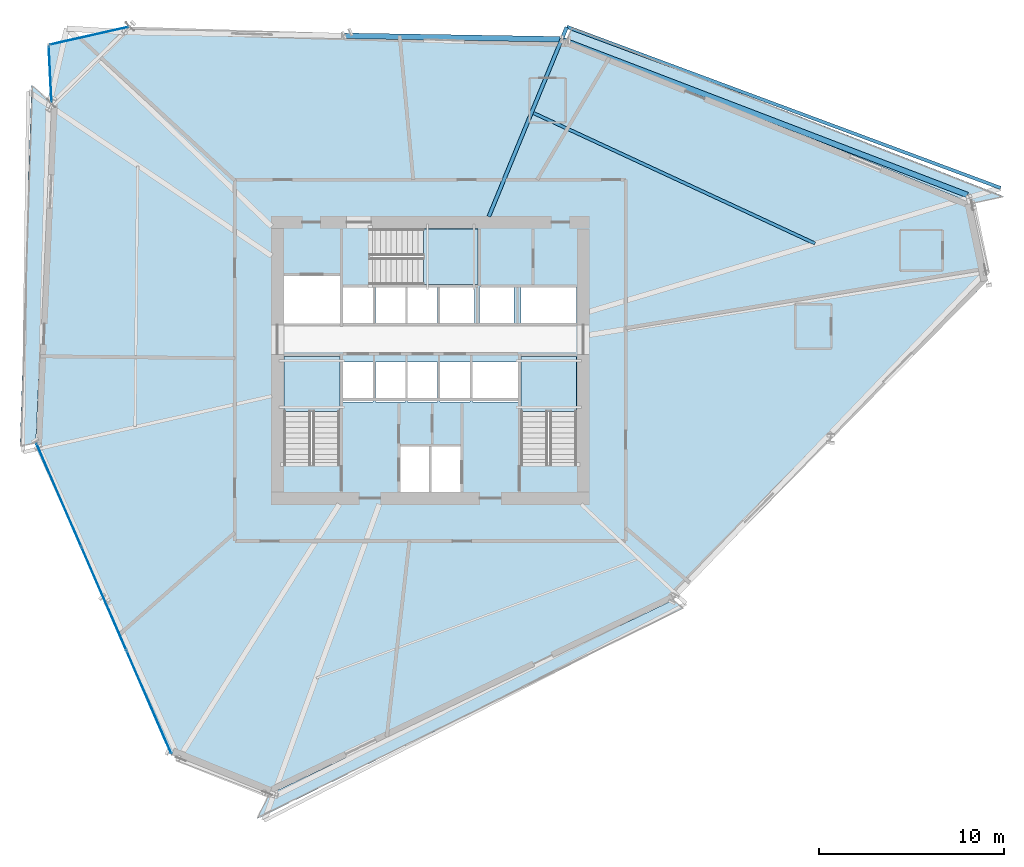
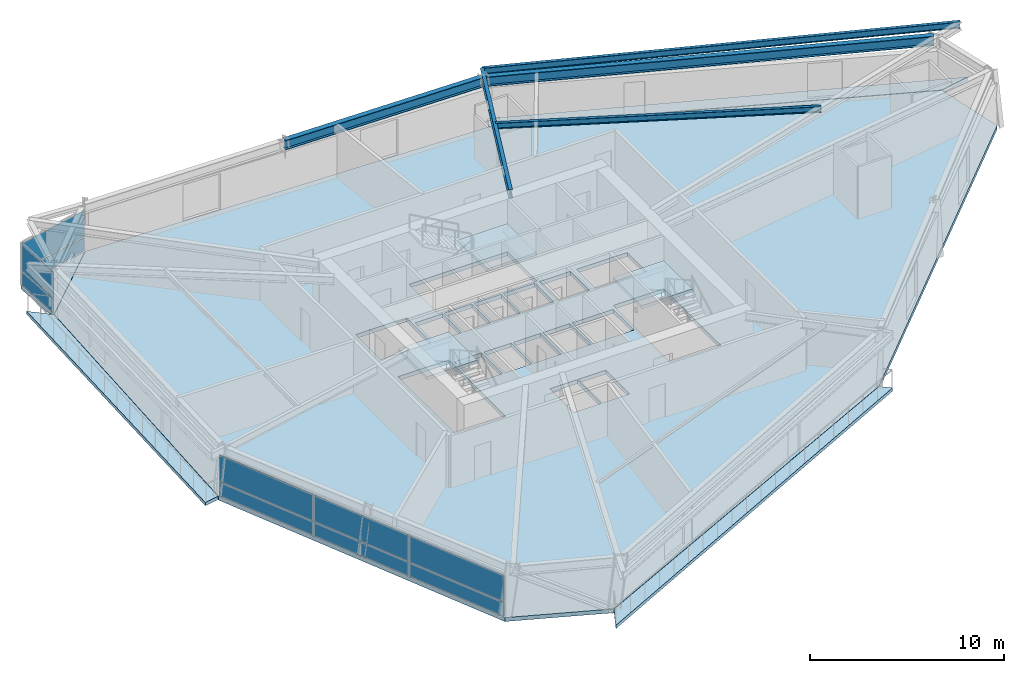
# One storey, part 9 of 19: 10 plates, 8 slabs, 5 beams, 6 elements without a shape of their own.
"""IFC4 building model written with IfcOpenShell, lengths in metres."""

import ifcopenshell
import ifcopenshell.guid

model = None  # the IFC model being written
_history = None  # IfcOwnerHistory: only IFC2X3 demands one
_inside = {}  # id of a spatial element -> (the spatial element, [elements in it])
_under = {}  # id of a project, library or spatial element -> (it, [spatial elements below it])
_declared = {}  # id of a project -> (the project, [libraries it declares])
_typed = {}  # id of a type object -> (the type object, [elements of that type])
_made_of = {}  # id of a material, layer set ... -> (it, [elements and type objects made of it])


def new_model(schema):
    """Start an empty IFC model of exactly this schema.

    Asked for "IFC4X3", IfcOpenShell would pick the latest addendum, in which some entities
    have other attributes; the version numbers below select the first issue.
    IFC2X3 requires an IfcOwnerHistory on every rooted entity: one is made here for all.
    """
    global model, _history
    if schema == "IFC4X3":
        model = ifcopenshell.file(schema_version=(4, 3, 0, 0))
    else:
        model = ifcopenshell.file(schema=schema)
    _inside.clear()
    _under.clear()
    _declared.clear()
    _typed.clear()
    _made_of.clear()
    _history = None
    if model.schema == "IFC2X3":
        org = make("IfcOrganization", Name="unknown")
        user = make(
            "IfcPersonAndOrganization",
            ThePerson=make("IfcPerson", FamilyName="unknown"),
            TheOrganization=org,
        )
        app = make(
            "IfcApplication",
            ApplicationDeveloper=org,
            Version="unknown",
            ApplicationFullName="unknown",
            ApplicationIdentifier="unknown",
        )
        _history = make(
            "IfcOwnerHistory",
            OwningUser=user,
            OwningApplication=app,
            ChangeAction="ADDED",
            CreationDate=0,
        )
    return model


def make(cls, **values):
    """One entity of the class cls with the attributes given. An attribute that is None is left unset."""
    return model.create_entity(
        cls, **{name: value for name, value in values.items() if value is not None}
    )


def rooted(cls, **values):
    """An entity with a GlobalId (a new one), such as an element, a storey or a relation."""
    return make(cls, GlobalId=ifcopenshell.guid.new(), OwnerHistory=_history, **values)


def si_unit(unit_type, name, prefix=None):
    """IfcSIUnit, for example si_unit("LENGTHUNIT", "METRE", prefix="MILLI")."""
    return make("IfcSIUnit", UnitType=unit_type, Prefix=prefix, Name=name)


def assignment(units):
    """IfcUnitAssignment: the units of a project."""
    return None if units is None else make("IfcUnitAssignment", Units=units)


def point(xyz):
    """IfcCartesianPoint."""
    return None if xyz is None else make("IfcCartesianPoint", Coordinates=xyz)


def direction(xyz):
    """IfcDirection."""
    return None if xyz is None else make("IfcDirection", DirectionRatios=xyz)


def frame(location, z_axis=None, x_axis=None):
    """IfcAxis2Placement3D, a coordinate frame: its origin and axes. An axis left out is left unset."""
    return make(
        "IfcAxis2Placement3D",
        Location=point(location),
        Axis=direction(z_axis),
        RefDirection=direction(x_axis),
    )


def frame_2d(location, x_axis=None):
    """IfcAxis2Placement2D, a coordinate frame in the plane: its origin and x axis."""
    return make(
        "IfcAxis2Placement2D", Location=point(location), RefDirection=direction(x_axis)
    )


def origin():
    """The frame at (0, 0, 0) with its axes left unset."""
    return frame((0.0, 0.0, 0.0))


def origin_2d():
    """The frame at (0, 0) in the plane with its x axis left unset."""
    return frame_2d((0.0, 0.0))


def place(relative_to, where):
    """IfcLocalPlacement: puts the frame where relative to a parent placement (None: the world)."""
    return make(
        "IfcLocalPlacement", PlacementRelTo=relative_to, RelativePlacement=where
    )


def context(
    kind, dimensions, precision=None, world=None, true_north=None, identifier=None
):
    """IfcGeometricRepresentationContext, for example the 3D "Model" context."""
    return make(
        "IfcGeometricRepresentationContext",
        ContextIdentifier=identifier,
        ContextType=kind,
        CoordinateSpaceDimension=dimensions,
        Precision=precision,
        WorldCoordinateSystem=world,
        TrueNorth=true_north,
    )


def subcontext(parent, identifier, kind, view, scale=None):
    """IfcGeometricRepresentationSubContext, for example "Body" below "Model"."""
    return make(
        "IfcGeometricRepresentationSubContext",
        ContextIdentifier=identifier,
        ContextType=kind,
        ParentContext=parent,
        TargetScale=scale,
        TargetView=view,
    )


def project(units=None, contexts=None):
    """IfcProject with its units and contexts."""
    return rooted(
        "IfcProject",
        Name="project",
        RepresentationContexts=contexts,
        UnitsInContext=assignment(units),
    )


def spatial(cls, under=None, at=None, **own):
    """A site, building, storey or space (cls), placed at a placement, below another one or the project."""
    s = rooted(cls, ObjectPlacement=at, **own)
    if under is not None:
        _under.setdefault(under.id(), (under, []))[1].append(s)
    return s


def polyline(points):
    """IfcPolyline through the points."""
    return make("IfcPolyline", Points=[point(p) for p in points])


def profile(cls, at=None, kind="AREA", **sizes):
    """A parametric profile (cls). Its sizes go by their IFC names, for example OverallWidth=200.0."""
    return make(cls, ProfileType=kind, Position=at, **sizes)


def rectangle(**sizes):
    """IfcRectangleProfileDef."""
    return profile("IfcRectangleProfileDef", **sizes)


def i_section(**sizes):
    """IfcIShapeProfileDef."""
    return profile("IfcIShapeProfileDef", **sizes)


def outline(outer, holes=None, kind="AREA"):
    """IfcArbitraryClosedProfileDef: a profile drawn as a closed curve; with holes, ...WithVoids."""
    if holes is None:
        return make("IfcArbitraryClosedProfileDef", ProfileType=kind, OuterCurve=outer)
    return make(
        "IfcArbitraryProfileDefWithVoids",
        ProfileType=kind,
        OuterCurve=outer,
        InnerCurves=holes,
    )


def extrude(swept, where, along, depth):
    """IfcExtrudedAreaSolid: the profile swept, set in the frame where, extruded along a direction by depth."""
    return make(
        "IfcExtrudedAreaSolid",
        SweptArea=swept,
        Position=where,
        ExtrudedDirection=direction(along),
        Depth=depth,
    )


def shape(context_of_items, identifier, shape_type, items):
    """IfcShapeRepresentation: the items that make up one representation, for example the "Body"."""
    return make(
        "IfcShapeRepresentation",
        ContextOfItems=context_of_items,
        RepresentationIdentifier=identifier,
        RepresentationType=shape_type,
        Items=items,
    )


def source(mapping_origin, context_of_items, identifier, shape_type, items):
    """IfcRepresentationMap: a shape defined once, which mapped items show again and again."""
    return make(
        "IfcRepresentationMap",
        MappingOrigin=mapping_origin,
        MappedRepresentation=shape(context_of_items, identifier, shape_type, items),
    )


def transform(
    local_origin,
    x_axis=None,
    y_axis=None,
    z_axis=None,
    scale=None,
    scale2=None,
    scale3=None,
    uniform=True,
):
    """IfcCartesianTransformationOperator3D, or its non-uniform kind. x_axis, y_axis, z_axis: its Axis1, 2, 3."""
    if uniform:
        return make(
            "IfcCartesianTransformationOperator3D",
            Axis1=direction(x_axis),
            Axis2=direction(y_axis),
            LocalOrigin=point(local_origin),
            Scale=scale,
            Axis3=direction(z_axis),
        )
    return make(
        "IfcCartesianTransformationOperator3DnonUniform",
        Axis1=direction(x_axis),
        Axis2=direction(y_axis),
        LocalOrigin=point(local_origin),
        Scale=scale,
        Axis3=direction(z_axis),
        Scale2=scale2,
        Scale3=scale3,
    )


def mapped(mapping_source, mapping_target):
    """IfcMappedItem: shows the shape of a source again, moved by a transform."""
    return make(
        "IfcMappedItem", MappingSource=mapping_source, MappingTarget=mapping_target
    )


def material(Name=None, Category=None):
    """IfcMaterial."""
    return make("IfcMaterial", Name=Name, Category=Category)


def layer(
    of_material, thickness, ventilated=None, Name=None, Category=None, Priority=None
):
    """IfcMaterialLayer: one layer of a wall or slab, of a material (None: an air gap)."""
    return make(
        "IfcMaterialLayer",
        Material=of_material,
        LayerThickness=thickness,
        IsVentilated=ventilated,
        Name=Name,
        Category=Category,
        Priority=Priority,
    )


def layer_set(layers, Name=None):
    """IfcMaterialLayerSet."""
    return make("IfcMaterialLayerSet", MaterialLayers=layers, LayerSetName=Name)


def material_profile(
    of_material, cross_section, Name=None, Category=None, Priority=None
):
    """IfcMaterialProfile: a cross section and its material."""
    return make(
        "IfcMaterialProfile",
        Name=Name,
        Material=of_material,
        Profile=cross_section,
        Priority=Priority,
        Category=Category,
    )


def profile_set(profiles, Name=None, composite=None):
    """IfcMaterialProfileSet."""
    return make(
        "IfcMaterialProfileSet",
        Name=Name,
        MaterialProfiles=profiles,
        CompositeProfile=composite,
    )


def made_of(thing, what):
    """Note that an element or type object is made of a material, layer set ...; save() writes the relation."""
    if what is not None:
        _made_of.setdefault(what.id(), (what, []))[1].append(thing)
    return thing


def type_object(cls, material=None, **own):
    """A type object (cls), such as IfcWallType, which elements share."""
    return made_of(rooted(cls, **own), material)


def element(
    cls,
    number,
    at=None,
    inside=None,
    cuts=None,
    type_object=None,
    material=None,
    context=None,
    identifier="Body",
    shape_type=None,
    held_by="IfcProductDefinitionShape",
    body=None,
    shapes=None,
    **own,
):
    """One element of the class cls, such as IfcWall. Its Tag is "e" and its number.

    at: its placement. inside: the storey or other place that contains it. cuts: it is an
    opening in that element (IfcRelVoidsElement). A single representation is given by context,
    identifier, shape_type and body (its items); several are given by shapes. held_by: the class
    of the entity that holds the representations. save() writes the other relations.
    """
    e = rooted(cls, Tag="e%d" % number, ObjectPlacement=at, **own)
    if body is not None:
        shapes = [shape(context, identifier, shape_type, body)]
    if shapes is not None:
        e.Representation = make(held_by, Representations=shapes)
    if inside is not None:
        _inside.setdefault(inside.id(), (inside, []))[1].append(e)
    if cuts is not None:
        rooted(
            "IfcRelVoidsElement", RelatingBuildingElement=cuts, RelatedOpeningElement=e
        )
    if type_object is not None:
        _typed.setdefault(type_object.id(), (type_object, []))[1].append(e)
    return made_of(e, material)


def aggregate(whole, parts):
    """IfcRelAggregates: a whole, such as a stair, and the parts it consists of."""
    return rooted("IfcRelAggregates", RelatingObject=whole, RelatedObjects=parts)


def save(model, path):
    """Write the relations noted so far, then the file.

    IfcRelAggregates (storeys below a building ...), IfcRelContainedInSpatialStructure (elements
    in a storey), IfcRelDefinesByType, IfcRelAssociatesMaterial and IfcRelDeclares: one each for
    every whole, place, type object, material and project.
    """
    for whole, parts in _under.values():
        aggregate(whole, parts)
    for where, things in _inside.values():
        rooted(
            "IfcRelContainedInSpatialStructure",
            RelatedElements=things,
            RelatingStructure=where,
        )
    for kind, things in _typed.values():
        rooted("IfcRelDefinesByType", RelatedObjects=things, RelatingType=kind)
    for what, things in _made_of.values():
        rooted("IfcRelAssociatesMaterial", RelatedObjects=things, RelatingMaterial=what)
    for by, libraries in _declared.values():
        rooted("IfcRelDeclares", RelatingContext=by, RelatedDefinitions=libraries)
    model.write(path)


model = new_model("IFC4")

# Units and contexts
model_context = context("Model", 3, precision=1e-05, world=origin(), true_north=direction((0.0, 1.0)))
body_context = subcontext(model_context, "Body", "Model", "MODEL_VIEW")
ifc_project = project(units=[si_unit("LENGTHUNIT", "METRE"), si_unit("AREAUNIT", "SQUARE_METRE"), si_unit("VOLUMEUNIT", "CUBIC_METRE"), si_unit("PLANEANGLEUNIT", "RADIAN"), si_unit("MASSUNIT", "GRAM", prefix="KILO")], contexts=[model_context])

# Site, building, storey
site_placement = place(None, origin())
site = spatial("IfcSite", under=ifc_project, at=site_placement, CompositionType="ELEMENT")
building_placement = place(site_placement, origin())
building = spatial("IfcBuilding", under=site, at=building_placement, Name="Olszyna Solenne Hotel", CompositionType="ELEMENT")
storey_placement = place(building_placement, frame((0.0, 0.0, 84.39990234375)))
storey = spatial("IfcBuildingStorey", under=building, at=storey_placement, Name="L21", CompositionType="ELEMENT", Elevation=84.39990234375)

# Beams
ifc_material_1 = material(Name="Steel S355J2", Category="steel")
ifc_material_profile_1 = material_profile(ifc_material_1, i_section(OverallWidth=0.300048828125, OverallDepth=0.60009765625, WebThickness=0.015380859375, FlangeThickness=0.030029296875, at=origin_2d()), Name="HEB 600", Category="load-bearing")
ifc_profile_set_1 = profile_set([ifc_material_profile_1], Name="Steel S355J2")
beam_type_1 = type_object("IfcBeamType", Name="BM-S2", PredefinedType="BEAM", material=ifc_profile_set_1)
shared_shape_1 = source(origin(), body_context, "Body", "SweptSolid", [
    extrude(i_section(OverallWidth=0.300048828125, OverallDepth=0.60009765625, WebThickness=0.015380859375, FlangeThickness=0.030029296875, at=origin_2d()), origin(), (0.0, 0.0, 1.0), 23.42333984375),
])
beam_1_placement = place(storey_placement, frame((66.977294921875, 35.51953125, 3.0), z_axis=(-0.933834455534, 0.357705478932, 0.0), x_axis=(-0.357705478932, -0.933834455534, 0.0)))
element("IfcBeam", 1, at=beam_1_placement, inside=storey, type_object=beam_type_1, Name="Perimeter spandrel beam BM-S2 B-L21-0634", PredefinedType="BEAM", context=body_context, shape_type="MappedRepresentation", body=[
    mapped(shared_shape_1, transform((0.0, 0.0, 0.0), x_axis=(1.0, 0.0, 0.0), y_axis=(0.0, 1.0, 0.0), z_axis=(0.0, 0.0, 1.0), scale=1.0)),
])
shared_shape_2 = source(origin(), body_context, "Body", "SweptSolid", [
    extrude(i_section(OverallWidth=0.300048828125, OverallDepth=0.60009765625, WebThickness=0.015380859375, FlangeThickness=0.030029296875, at=origin_2d()), origin(), (0.0, 0.0, 1.0), 11.651611328125),
])
beam_2_placement = place(storey_placement, frame((44.98779296875, 43.920654296875, 3.0), z_axis=(-0.999867461203, 0.01628066425, 0.0), x_axis=(-0.01628066425, -0.999867461203, 0.0)))
element("IfcBeam", 2, at=beam_2_placement, inside=storey, type_object=beam_type_1, Name="Perimeter spandrel beam BM-S2 B-L21-0635", PredefinedType="BEAM", context=body_context, shape_type="MappedRepresentation", body=[
    mapped(shared_shape_2, transform((0.0, 0.0, 0.0), x_axis=(1.0, 0.0, 0.0), y_axis=(0.0, 1.0, 0.0), z_axis=(0.0, 0.0, 1.0), scale=1.0)),
])
ifc_material_profile_2 = material_profile(ifc_material_1, i_section(OverallWidth=0.199951171875, OverallDepth=0.5, WebThickness=0.01025390625, FlangeThickness=0.01611328125, at=origin_2d()), Name="IPE 500", Category="load-bearing")
ifc_profile_set_2 = profile_set([ifc_material_profile_2], Name="Steel S355J2")
beam_type_2 = type_object("IfcBeamType", Name="BM-F3", PredefinedType="BEAM", material=ifc_profile_set_2)
shared_shape_3 = source(origin(), body_context, "Body", "SweptSolid", [
    extrude(i_section(OverallWidth=0.199951171875, OverallDepth=0.5, WebThickness=0.01025390625, FlangeThickness=0.01611328125, at=origin_2d()), origin(), (0.0, 0.0, 1.0), 11.052978515625),
])
beam_3_placement = place(storey_placement, frame((45.3583984375, 44.576416015625, 3.050048828125), z_axis=(-0.380288720395, -0.924867822524, 0.0), x_axis=(0.924867822524, -0.380288720395, 0.0)))
element("IfcBeam", 3, at=beam_3_placement, inside=storey, type_object=beam_type_2, Name="Radial floor girder BM-F3 B-L21-0647", PredefinedType="BEAM", context=body_context, shape_type="MappedRepresentation", body=[
    mapped(shared_shape_3, transform((0.0, 0.0, 0.0), x_axis=(1.0, 0.0, 0.0), y_axis=(0.0, 1.0, 0.0), z_axis=(0.0, 0.0, 1.0), scale=1.0)),
])
ifc_material_profile_3 = material_profile(ifc_material_1, i_section(OverallWidth=0.169921875, OverallDepth=0.360107421875, WebThickness=0.008056640625, FlangeThickness=0.0126953125, at=origin_2d()), Name="IPE 360", Category="load-bearing")
ifc_profile_set_3 = profile_set([ifc_material_profile_3], Name="Steel S355J2")
beam_type_3 = type_object("IfcBeamType", Name="JS-01", PredefinedType="JOIST", material=ifc_profile_set_3)
shared_shape_4 = source(origin(), body_context, "Body", "SweptSolid", [
    extrude(i_section(OverallWidth=0.169921875, OverallDepth=0.360107421875, WebThickness=0.008056640625, FlangeThickness=0.0126953125, at=origin_2d()), origin(), (0.0, 0.0, 1.0), 16.82373046875),
])
beam_4_placement = place(storey_placement, frame((58.7529296875, 32.902587890625, 3.1201171875), z_axis=(-0.907264557711, 0.420560367035, 0.0), x_axis=(-0.420560367035, -0.907264557711, 0.0)))
element("IfcBeam", 4, at=beam_4_placement, inside=storey, type_object=beam_type_3, Name="Secondary composite floor joist JS-01 B-L21-0656", PredefinedType="JOIST", context=body_context, shape_type="MappedRepresentation", body=[
    mapped(shared_shape_4, transform((0.0, 0.0, 0.0), x_axis=(1.0, 0.0, 0.0), y_axis=(0.0, 1.0, 0.0), z_axis=(0.0, 0.0, 1.0), scale=1.0)),
])
ifc_material_profile_4 = material_profile(ifc_material_1, i_section(OverallWidth=0.179931640625, OverallDepth=0.39990234375, WebThickness=0.008544921875, FlangeThickness=0.013427734375, at=origin_2d()), Name="IPE 400", Category="load-bearing")
ifc_profile_set_4 = profile_set([ifc_material_profile_4], Name="Steel S355J2")
beam_type_4 = type_object("IfcBeamType", Name="BM-F5", PredefinedType="BEAM", material=ifc_profile_set_4)
shared_shape_5 = source(origin(), body_context, "Body", "SweptSolid", [
    extrude(i_section(OverallWidth=0.179931640625, OverallDepth=0.39990234375, WebThickness=0.008544921875, FlangeThickness=0.013427734375, at=origin_2d()), origin(), (0.0, 0.0, 1.0), 24.96533203125),
])
beam_5_placement = place(storey_placement, frame((68.768310546875, 35.8994140625, 3.10009765625), z_axis=(-0.937381489877, 0.348304381878, 0.0), x_axis=(-0.348304381878, -0.937381489877, 0.0)))
element("IfcBeam", 5, at=beam_5_placement, inside=storey, type_object=beam_type_4, Name="Loggia outer edge beam BM-F5 B-L21-0659", PredefinedType="BEAM", context=body_context, shape_type="MappedRepresentation", body=[
    mapped(shared_shape_5, transform((0.0, 0.0, 0.0), x_axis=(1.0, 0.0, 0.0), y_axis=(0.0, 1.0, 0.0), z_axis=(0.0, 0.0, 1.0), scale=1.0)),
])

# Stair, slab
ifc_material_2 = material(Name="Concrete C40/50", Category="concrete")
stair_type = type_object("IfcStairType", Name="STR-C1", PredefinedType="TWO_QUARTER_WINDING_STAIR", material=ifc_material_2)
stair_1_placement = place(storey_placement, origin())
stair_1 = element("IfcStair", 6, at=stair_1_placement, inside=storey, type_object=stair_type, Name="L21 ST1", PredefinedType="TWO_QUARTER_WINDING_STAIR")
ifc_layer_1 = layer(ifc_material_2, 0.18994140625, Name="Concrete C40/50")
ifc_layer_set_1 = layer_set([ifc_layer_1], Name="Concrete C40/50")
slab_type_1 = type_object("IfcSlabType", Name="SL-LN190", PredefinedType="LANDING", material=ifc_layer_set_1)
slab_1_placement = place(storey_placement, frame((0.0, 0.0, 1.5751953125)))
slab_1 = element("IfcSlab", 7, at=slab_1_placement, type_object=slab_type_1, Name="ST1 landing 1", PredefinedType="LANDING", context=body_context, shape_type="SweptSolid", body=[
    extrude(outline(polyline([(33.1201171875, 23.85009765625), (33.1201171875, 26.800048828125), (30.10009765625, 26.800048828125), (30.10009765625, 23.85009765625), (33.1201171875, 23.85009765625)])), origin(), (0.0, 0.0, 1.0), 0.199951171875),
])
aggregate(stair_1, [slab_1])

stair_2_placement = place(storey_placement, origin())
stair_2 = element("IfcStair", 8, at=stair_2_placement, inside=storey, type_object=stair_type, Name="L21 ST2", PredefinedType="TWO_QUARTER_WINDING_STAIR")
slab_2_placement = place(storey_placement, frame((0.0, 0.0, 1.5751953125)))
slab_2 = element("IfcSlab", 9, at=slab_2_placement, type_object=slab_type_1, Name="ST2 landing 1", PredefinedType="LANDING", context=body_context, shape_type="SweptSolid", body=[
    extrude(outline(polyline([(45.89990234375, 23.85009765625), (45.89990234375, 26.800048828125), (42.8798828125, 26.800048828125), (42.8798828125, 23.85009765625), (45.89990234375, 23.85009765625)])), origin(), (0.0, 0.0, 1.0), 0.199951171875),
])
aggregate(stair_2, [slab_2])

stair_3_placement = place(storey_placement, origin())
stair_3 = element("IfcStair", 10, at=stair_3_placement, inside=storey, type_object=stair_type, Name="L21 ST3", PredefinedType="TWO_QUARTER_WINDING_STAIR")
slab_3_placement = place(storey_placement, frame((0.0, 0.0, 1.5751953125)))
slab_3 = element("IfcSlab", 11, at=slab_3_placement, type_object=slab_type_1, Name="ST3 landing 1", PredefinedType="LANDING", context=body_context, shape_type="SweptSolid", body=[
    extrude(outline(polyline([(37.6298828125, 30.679931640625), (40.580078125, 30.679931640625), (40.580078125, 33.699951171875), (37.6298828125, 33.699951171875), (37.6298828125, 30.679931640625)])), origin(), (0.0, 0.0, 1.0), 0.199951171875),
])
aggregate(stair_3, [slab_3])

# Slabs
ifc_material_3 = material(Name="Precast concrete C45/55", Category="concrete")
ifc_layer_2 = layer(ifc_material_3, 0.199951171875, Name="Precast concrete C45/55")
ifc_layer_set_2 = layer_set([ifc_layer_2], Name="Precast concrete C45/55")
slab_type_2 = type_object("IfcSlabType", Name="SL-LOG200", PredefinedType="FLOOR", material=ifc_layer_set_2)
slab_4_placement = place(storey_placement, frame((0.0, 0.0, -0.199951171875)))
element("IfcSlab", 12, at=slab_4_placement, inside=storey, type_object=slab_type_2, Name="Exterior loggia balcony slab SL-L21-LG1", PredefinedType="FLOOR", context=body_context, shape_type="SweptSolid", body=[
    extrude(outline(polyline([(45.35205078125, 43.902587890625), (67.21435546875, 35.0830078125), (67.215576171875, 35.08251953125), (67.216796875, 35.081787109375), (67.218017578125, 35.080810546875), (67.21923828125, 35.079833984375), (67.22021484375, 35.07861328125), (67.22119140625, 35.07763671875), (67.221923828125, 35.076416015625), (67.222412109375, 35.074951171875), (67.222900390625, 35.073486328125), (67.223388671875, 35.072265625), (68.949951171875, 35.443115234375), (45.67431640625, 44.559326171875), (45.35205078125, 43.902587890625)])), origin(), (0.0, 0.0, 1.0), 0.199951171875),
])
slab_5_placement = place(storey_placement, frame((0.0, 0.0, -0.199951171875)))
element("IfcSlab", 13, at=slab_5_placement, inside=storey, type_object=slab_type_2, Name="Exterior loggia balcony slab SL-L21-LG2", PredefinedType="FLOOR", context=body_context, shape_type="SweptSolid", body=[
    extrude(outline(polyline([(16.719482421875, 22.153076171875), (16.71923828125, 22.154296875), (16.71923828125, 22.155517578125), (16.71923828125, 22.156982421875), (17.552001953125, 40.4853515625), (17.55126953125, 40.49951171875), (16.483642578125, 41.451904296875), (15.863525390625, 21.96923828125), (16.719482421875, 22.153076171875)])), origin(), (0.0, 0.0, 1.0), 0.199951171875),
])
slab_6_placement = place(storey_placement, frame((0.0, 0.0, -0.199951171875)))
element("IfcSlab", 14, at=slab_6_placement, inside=storey, type_object=slab_type_2, Name="Exterior loggia balcony slab SL-L21-LG3", PredefinedType="FLOOR", context=body_context, shape_type="SweptSolid", body=[
    extrude(outline(polyline([(51.116455078125, 13.677001953125), (51.115966796875, 13.676513671875), (51.114990234375, 13.675537109375), (51.114013671875, 13.6748046875), (51.11279296875, 13.674072265625), (51.11181640625, 13.673583984375), (29.317138671875, 3.1923828125), (29.315673828125, 3.191650390625), (29.314208984375, 3.191162109375), (29.3125, 3.19091796875), (29.31103515625, 3.19091796875), (29.3095703125, 3.19091796875), (29.30810546875, 3.19091796875), (29.306396484375, 3.19140625), (29.304931640625, 3.19189453125), (29.303955078125, 3.1923828125), (28.652587890625, 1.865478515625), (51.64697265625, 13.203857421875), (51.116455078125, 13.677001953125)])), origin(), (0.0, 0.0, 1.0), 0.199951171875),
])
ifc_material_4 = material(Name="Concrete C50/60", Category="concrete")
ifc_layer_3 = layer(ifc_material_4, 0.25, Name="Concrete C50/60")
ifc_layer_set_3 = layer_set([ifc_layer_3], Name="Concrete C50/60")
slab_type_3 = type_object("IfcSlabType", Name="SL-TW250", PredefinedType="FLOOR", material=ifc_layer_set_3)
slab_7_placement = place(storey_placement, frame((0.0, 0.0, -0.25)))
element("IfcSlab", 15, at=slab_7_placement, inside=storey, type_object=slab_type_3, Name="Floor slab SL-TW250 SL-L21-01", PredefinedType="FLOOR", context=body_context, shape_type="SweptSolid", body=[
    extrude(outline(polyline([(68.081298828125, 30.911376953125), (67.208740234375, 35.069091796875), (45.345458984375, 43.88916015625), (21.78076171875, 44.597900390625), (17.56689453125, 40.4853515625), (16.734130859375, 22.15625), (24.0517578125, 5.33056640625), (29.310546875, 3.205810546875), (51.105224609375, 13.68701171875), (68.081298828125, 30.911376953125)]), holes=[polyline([(30.10009765625, 20.949951171875), (33.1201171875, 20.949951171875), (33.1201171875, 26.800048828125), (30.10009765625, 26.800048828125), (30.10009765625, 20.949951171875)]), polyline([(42.8798828125, 20.949951171875), (45.89990234375, 20.949951171875), (45.89990234375, 26.800048828125), (42.8798828125, 26.800048828125), (42.8798828125, 20.949951171875)]), polyline([(34.72998046875, 30.679931640625), (40.580078125, 30.679931640625), (40.580078125, 33.699951171875), (34.72998046875, 33.699951171875), (34.72998046875, 30.679931640625)]), polyline([(36.340087890625, 19.5), (37.9599609375, 19.5), (37.9599609375, 21.9599609375), (36.340087890625, 21.9599609375), (36.340087890625, 19.5)]), polyline([(38.0400390625, 19.5), (39.659912109375, 19.5), (39.659912109375, 21.9599609375), (38.0400390625, 21.9599609375), (38.0400390625, 19.5)]), polyline([(30.10009765625, 28.60009765625), (33.1201171875, 28.60009765625), (33.1201171875, 31.159912109375), (30.10009765625, 31.159912109375), (30.10009765625, 28.60009765625)]), polyline([(33.280029296875, 24.360107421875), (34.89990234375, 24.360107421875), (34.89990234375, 26.5), (33.280029296875, 26.5), (33.280029296875, 24.360107421875)]), polyline([(35.030029296875, 24.360107421875), (36.64990234375, 24.360107421875), (36.64990234375, 26.5), (35.030029296875, 26.5), (35.030029296875, 24.360107421875)]), polyline([(36.780029296875, 24.360107421875), (38.39990234375, 24.360107421875), (38.39990234375, 26.5), (36.780029296875, 26.5), (36.780029296875, 24.360107421875)]), polyline([(38.530029296875, 24.360107421875), (40.14990234375, 24.360107421875), (40.14990234375, 26.5), (38.530029296875, 26.5), (38.530029296875, 24.360107421875)]), polyline([(40.280029296875, 24.360107421875), (42.719970703125, 24.360107421875), (42.719970703125, 26.5), (40.280029296875, 26.5), (40.280029296875, 24.360107421875)]), polyline([(33.280029296875, 28.60009765625), (34.89990234375, 28.60009765625), (34.89990234375, 30.550048828125), (33.280029296875, 30.550048828125), (33.280029296875, 28.60009765625)]), polyline([(35.030029296875, 28.60009765625), (36.64990234375, 28.60009765625), (36.64990234375, 30.550048828125), (35.030029296875, 30.550048828125), (35.030029296875, 28.60009765625)]), polyline([(36.780029296875, 28.60009765625), (38.39990234375, 28.60009765625), (38.39990234375, 30.550048828125), (36.780029296875, 30.550048828125), (36.780029296875, 28.60009765625)]), polyline([(38.530029296875, 28.60009765625), (40.389892578125, 28.60009765625), (40.389892578125, 30.550048828125), (38.530029296875, 30.550048828125), (38.530029296875, 28.60009765625)]), polyline([(40.659912109375, 28.60009765625), (42.52001953125, 28.60009765625), (42.52001953125, 30.550048828125), (40.659912109375, 30.550048828125), (40.659912109375, 28.60009765625)]), polyline([(42.8798828125, 28.60009765625), (45.89990234375, 28.60009765625), (45.89990234375, 30.550048828125), (42.8798828125, 30.550048828125), (42.8798828125, 28.60009765625)])]), origin(), (0.0, 0.0, 1.0), 0.25),
])
slab_8_placement = place(storey_placement, frame((0.0, 0.0, -0.25)))
element("IfcSlab", 16, at=slab_8_placement, inside=storey, type_object=slab_type_3, Name="Faceted glass-prism floor slab SL-L21-PR", PredefinedType="FLOOR", context=body_context, shape_type="SweptSolid", body=[
    extrude(outline(polyline([(17.56640625, 40.498779296875), (21.76220703125, 44.59375), (17.412841796875, 43.61865234375), (17.56640625, 40.498779296875)])), origin(), (0.0, 0.0, 1.0), 0.25),
])

# Curtain wall, plates
ifc_material_5 = material(Name="Anodised bronze aluminium", Category="aluminium")
curtain_wall_type_1 = type_object("IfcCurtainWallType", Name="CW-SYS-3", PredefinedType="NOTDEFINED", material=ifc_material_5)
curtain_wall_1_placement = place(storey_placement, origin())
curtain_wall_1 = element("IfcCurtainWall", 17, at=curtain_wall_1_placement, inside=storey, type_object=curtain_wall_type_1, Name="Unitised curtain wall CW-SYS-3 CW-L21-01", PredefinedType="NOTDEFINED")
ifc_material_6 = material(Name="Terracotta cladding", Category="masonry")
plate_type_1 = type_object("IfcPlateType", Name="PN-SP1", PredefinedType="CURTAIN_PANEL", material=ifc_material_6)
shared_shape_6 = source(origin(), body_context, "Body", "SweptSolid", [
    extrude(rectangle(XDim=6.00341796875, YDim=0.035888671875, at=origin_2d()), origin(), (0.0, 0.0, 1.0), 0.83740234375),
])
plate_1_placement = place(storey_placement, frame((17.961181640625, 19.334716796875, 0.0751953125), z_axis=(0.0, 0.0, 1.0), x_axis=(0.398816786909, -0.917030626795, 0.0)))
plate_1 = element("IfcPlate", 18, at=plate_1_placement, type_object=plate_type_1, Name="Curtain-wall panel PN-SP1 CP-L21-01-01", PredefinedType="CURTAIN_PANEL", context=body_context, shape_type="MappedRepresentation", body=[
    mapped(shared_shape_6, transform((0.0, 0.0, 0.0), x_axis=(1.0, 0.0, 0.0), y_axis=(0.0, 1.0, 0.0), z_axis=(0.0, 0.0, 1.0), scale=1.0)),
])
plate_2_placement = place(storey_placement, frame((22.82470703125, 8.152099609375, 0.0751953125), z_axis=(0.0, 0.0, 1.0), x_axis=(0.398816786909, -0.917030626795, 0.0)))
plate_2 = element("IfcPlate", 19, at=plate_2_placement, type_object=plate_type_1, Name="Curtain-wall panel PN-SP1 CP-L21-01-05", PredefinedType="CURTAIN_PANEL", context=body_context, shape_type="MappedRepresentation", body=[
    mapped(shared_shape_6, transform((0.0, 0.0, 0.0), x_axis=(1.0, 0.0, 0.0), y_axis=(0.0, 1.0, 0.0), z_axis=(0.0, 0.0, 1.0), scale=1.0)),
])
ifc_material_7 = material(Name="Low-E triple glazing", Category="glass")
plate_type_2 = type_object("IfcPlateType", Name="PN-GL1", PredefinedType="CURTAIN_PANEL", material=ifc_material_7)
shared_shape_7 = source(origin(), body_context, "Body", "SweptSolid", [
    extrude(rectangle(XDim=6.00341796875, YDim=0.035888671875, at=origin_2d()), origin(), (0.0, 0.0, 1.0), 1.62939453125),
])
plate_3_placement = place(storey_placement, frame((17.961181640625, 19.334716796875, 0.987548828125), z_axis=(0.0, 0.0, 1.0), x_axis=(0.398816786909, -0.917030626795, 0.0)))
plate_3 = element("IfcPlate", 20, at=plate_3_placement, type_object=plate_type_2, Name="Curtain-wall panel PN-GL1 CP-L21-01-02", PredefinedType="CURTAIN_PANEL", context=body_context, shape_type="MappedRepresentation", body=[
    mapped(shared_shape_7, transform((0.0, 0.0, 0.0), x_axis=(1.0, 0.0, 0.0), y_axis=(0.0, 1.0, 0.0), z_axis=(0.0, 0.0, 1.0), scale=1.0)),
])
plate_4_placement = place(storey_placement, frame((22.82470703125, 8.152099609375, 0.987548828125), z_axis=(0.0, 0.0, 1.0), x_axis=(0.398816786909, -0.917030626795, 0.0)))
plate_4 = element("IfcPlate", 21, at=plate_4_placement, type_object=plate_type_2, Name="Curtain-wall panel PN-GL1 CP-L21-01-06", PredefinedType="CURTAIN_PANEL", context=body_context, shape_type="MappedRepresentation", body=[
    mapped(shared_shape_7, transform((0.0, 0.0, 0.0), x_axis=(1.0, 0.0, 0.0), y_axis=(0.0, 1.0, 0.0), z_axis=(0.0, 0.0, 1.0), scale=1.0)),
])
shared_shape_8 = source(origin(), body_context, "Body", "SweptSolid", [
    extrude(rectangle(XDim=6.041015625, YDim=0.035888671875, at=origin_2d()), origin(), (0.0, 0.0, 1.0), 0.83740234375),
])
plate_5_placement = place(storey_placement, frame((20.39306640625, 13.743408203125, 0.0751953125), z_axis=(0.0, 0.0, 1.0), x_axis=(0.398816786909, -0.917030626795, 0.0)))
plate_5 = element("IfcPlate", 22, at=plate_5_placement, type_object=plate_type_1, Name="Curtain-wall panel PN-SP1 CP-L21-01-03", PredefinedType="CURTAIN_PANEL", context=body_context, shape_type="MappedRepresentation", body=[
    mapped(shared_shape_8, transform((0.0, 0.0, 0.0), x_axis=(1.0, 0.0, 0.0), y_axis=(0.0, 1.0, 0.0), z_axis=(0.0, 0.0, 1.0), scale=1.0)),
])
shared_shape_9 = source(origin(), body_context, "Body", "SweptSolid", [
    extrude(rectangle(XDim=6.041015625, YDim=0.035888671875, at=origin_2d()), origin(), (0.0, 0.0, 1.0), 1.62939453125),
])
plate_6_placement = place(storey_placement, frame((20.39306640625, 13.743408203125, 0.987548828125), z_axis=(0.0, 0.0, 1.0), x_axis=(0.398816786909, -0.917030626795, 0.0)))
plate_6 = element("IfcPlate", 23, at=plate_6_placement, type_object=plate_type_2, Name="Curtain-wall panel PN-GL1 CP-L21-01-04", PredefinedType="CURTAIN_PANEL", context=body_context, shape_type="MappedRepresentation", body=[
    mapped(shared_shape_9, transform((0.0, 0.0, 0.0), x_axis=(1.0, 0.0, 0.0), y_axis=(0.0, 1.0, 0.0), z_axis=(0.0, 0.0, 1.0), scale=1.0)),
])
aggregate(curtain_wall_1, [plate_1, plate_3, plate_5, plate_6, plate_2, plate_4])

curtain_wall_type_2 = type_object("IfcCurtainWallType", Name="CW-SYS-5", PredefinedType="NOTDEFINED", material=ifc_material_5)
curtain_wall_2_placement = place(storey_placement, origin())
curtain_wall_2 = element("IfcCurtainWall", 24, at=curtain_wall_2_placement, inside=storey, type_object=curtain_wall_type_2, Name="Unitised curtain wall CW-SYS-5 CW-L21-02", PredefinedType="NOTDEFINED")
plate_type_3 = type_object("IfcPlateType", Name="PN-PR1", PredefinedType="CURTAIN_PANEL", material=ifc_material_7)
shared_shape_10 = source(origin(), body_context, "Body", "SweptSolid", [
    extrude(rectangle(XDim=2.987060546875, YDim=0.028076171875, at=origin_2d()), origin(), (0.0, 0.0, 1.0), 0.83740234375),
])
plate_7_placement = place(storey_placement, frame((17.489990234375, 42.052001953125, 0.0751953125), z_axis=(0.0, 0.0, 1.0), x_axis=(0.049155366541, -0.998791144304, 0.0)))
plate_7 = element("IfcPlate", 25, at=plate_7_placement, type_object=plate_type_3, Name="Curtain-wall panel PN-PR1 CP-L21-02-01", PredefinedType="CURTAIN_PANEL", context=body_context, shape_type="MappedRepresentation", body=[
    mapped(shared_shape_10, transform((0.0, 0.0, 0.0), x_axis=(1.0, 0.0, 0.0), y_axis=(0.0, 1.0, 0.0), z_axis=(0.0, 0.0, 1.0), scale=1.0)),
])
shared_shape_11 = source(origin(), body_context, "Body", "SweptSolid", [
    extrude(rectangle(XDim=2.987060546875, YDim=0.028076171875, at=origin_2d()), origin(), (0.0, 0.0, 1.0), 1.62939453125),
])
plate_8_placement = place(storey_placement, frame((17.489990234375, 42.052001953125, 0.987548828125), z_axis=(0.0, 0.0, 1.0), x_axis=(0.049155366541, -0.998791144304, 0.0)))
plate_8 = element("IfcPlate", 26, at=plate_8_placement, type_object=plate_type_3, Name="Curtain-wall panel PN-PR1 CP-L21-02-02", PredefinedType="CURTAIN_PANEL", context=body_context, shape_type="MappedRepresentation", body=[
    mapped(shared_shape_11, transform((0.0, 0.0, 0.0), x_axis=(1.0, 0.0, 0.0), y_axis=(0.0, 1.0, 0.0), z_axis=(0.0, 0.0, 1.0), scale=1.0)),
])
aggregate(curtain_wall_2, [plate_7, plate_8])

curtain_wall_3_placement = place(storey_placement, origin())
curtain_wall_3 = element("IfcCurtainWall", 27, at=curtain_wall_3_placement, inside=storey, type_object=curtain_wall_type_2, Name="Unitised curtain wall CW-SYS-5 CW-L21-03", PredefinedType="NOTDEFINED")
shared_shape_12 = source(origin(), body_context, "Body", "SweptSolid", [
    extrude(rectangle(XDim=4.326416015625, YDim=0.028076171875, at=origin_2d()), origin(), (0.0, 0.0, 1.0), 0.83740234375),
])
plate_9_placement = place(storey_placement, frame((19.5966796875, 44.108154296875, 0.0751953125), z_axis=(0.0, 0.0, 1.0), x_axis=(0.975776916702, 0.218767933736, 0.0)))
plate_9 = element("IfcPlate", 28, at=plate_9_placement, type_object=plate_type_3, Name="Curtain-wall panel PN-PR1 CP-L21-03-01", PredefinedType="CURTAIN_PANEL", context=body_context, shape_type="MappedRepresentation", body=[
    mapped(shared_shape_12, transform((0.0, 0.0, 0.0), x_axis=(1.0, 0.0, 0.0), y_axis=(0.0, 1.0, 0.0), z_axis=(0.0, 0.0, 1.0), scale=1.0)),
])
shared_shape_13 = source(origin(), body_context, "Body", "SweptSolid", [
    extrude(rectangle(XDim=4.326416015625, YDim=0.028076171875, at=origin_2d()), origin(), (0.0, 0.0, 1.0), 1.62939453125),
])
plate_10_placement = place(storey_placement, frame((19.5966796875, 44.108154296875, 0.987548828125), z_axis=(0.0, 0.0, 1.0), x_axis=(0.975776916702, 0.218767933736, 0.0)))
plate_10 = element("IfcPlate", 29, at=plate_10_placement, type_object=plate_type_3, Name="Curtain-wall panel PN-PR1 CP-L21-03-02", PredefinedType="CURTAIN_PANEL", context=body_context, shape_type="MappedRepresentation", body=[
    mapped(shared_shape_13, transform((0.0, 0.0, 0.0), x_axis=(1.0, 0.0, 0.0), y_axis=(0.0, 1.0, 0.0), z_axis=(0.0, 0.0, 1.0), scale=1.0)),
])
aggregate(curtain_wall_3, [plate_9, plate_10])

save(model, "model.ifc")
